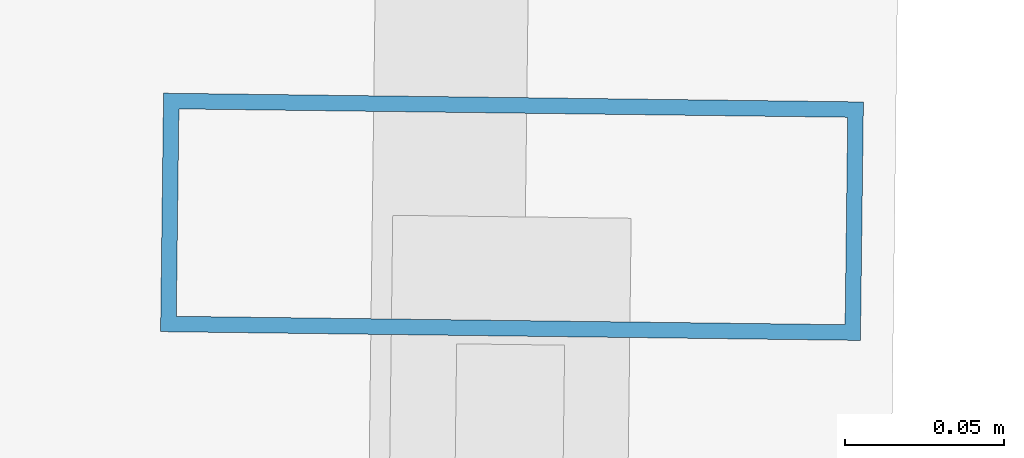
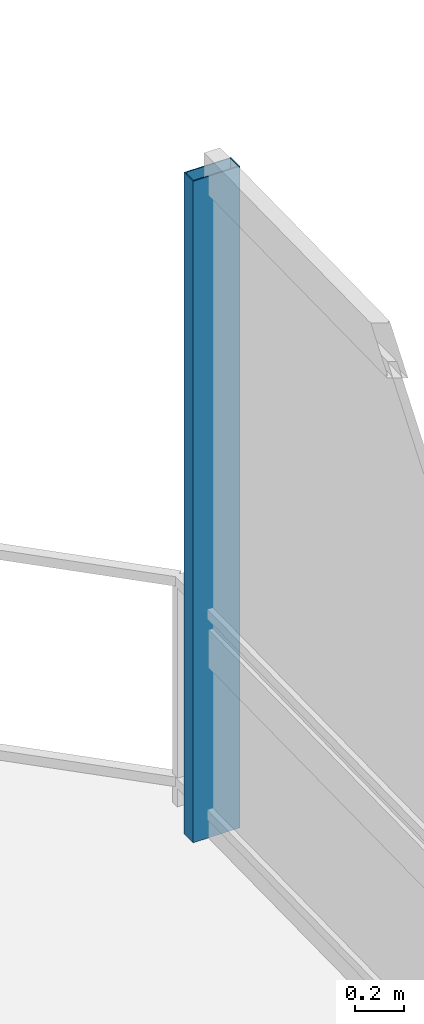
# One storey, part 12 of 18: 1 member, 1 element without a shape of its own.
"""IFC4 building model written with IfcOpenShell, lengths in metres."""

from ifc_helpers import new_model, si_unit, direction, frame, origin, origin_2d, place, context, subcontext, project, spatial, hollow_rectangle, extrude, material, layer, layer_set, material_profile, profile_set, type_object, element, aggregate, save


model = new_model("IFC4")

# Units and contexts
model_context = context("Model", 3, precision=1e-05, world=origin(), true_north=direction((0.0, 1.0)))
body_context = subcontext(model_context, "Body", "Model", "MODEL_VIEW")
ifc_project = project(units=[si_unit("LENGTHUNIT", "METRE"), si_unit("AREAUNIT", "SQUARE_METRE"), si_unit("VOLUMEUNIT", "CUBIC_METRE"), si_unit("PLANEANGLEUNIT", "RADIAN"), si_unit("MASSUNIT", "GRAM", prefix="KILO")], contexts=[model_context])

# Site, building, storey
site_placement = place(None, origin())
site = spatial("IfcSite", under=ifc_project, at=site_placement, CompositionType="ELEMENT")
building_placement = place(site_placement, origin())
building = spatial("IfcBuilding", under=site, at=building_placement, Name="Qarnah Convention Tower", CompositionType="ELEMENT")
storey_placement = place(building_placement, frame((0.0, 0.0, 177.0)))
storey = spatial("IfcBuildingStorey", under=building, at=storey_placement, Name="L47", CompositionType="ELEMENT", Elevation=177.0)

# Curtain wall, member
ifc_material_1 = material(Name="Tempered Low-E dark glass", Category="glass")
ifc_layer = layer(ifc_material_1, 0.174072265625)
ifc_layer_set = layer_set([ifc_layer], Name="Tempered Low-E dark glass")
curtain_wall_type = type_object("IfcCurtainWallType", Name="CWS-04", PredefinedType="NOTDEFINED", material=ifc_layer_set)
curtain_wall_placement = place(storey_placement, origin())
curtain_wall = element("IfcCurtainWall", 1, at=curtain_wall_placement, inside=storey, type_object=curtain_wall_type, Name="L47 unitised curtain wall CW-L47-F3", PredefinedType="NOTDEFINED")
ifc_material_2 = material(Name="Black anodised aluminium", Category="aluminium")
ifc_material_profile = material_profile(ifc_material_2, hollow_rectangle(XDim=0.074951171875, YDim=0.219970703125, WallThickness=0.0048828125, at=origin_2d()), Name="MUL-75X220")
ifc_profile_set = profile_set([ifc_material_profile], Name="Black anodised aluminium")
member_type = type_object("IfcMemberType", Name="MUL-T4", PredefinedType="MULLION", material=ifc_profile_set)
member_placement = place(storey_placement, frame((54.096923828125, 41.291015625, 0.0), z_axis=(0.0, 0.0, 1.0), x_axis=(-0.012512619555, -0.999921714112, 0.0)))
member = element("IfcMember", 2, at=member_placement, type_object=member_type, Name="CW-L47-F3 mullion 1", PredefinedType="MULLION", context=body_context, shape_type="SweptSolid", body=[
    extrude(hollow_rectangle(XDim=0.074951171875, YDim=0.219970703125, WallThickness=0.0048828125, at=origin_2d()), origin(), (0.0, 0.0, 1.0), 3.320068359375),
])
aggregate(curtain_wall, [member])

save(model, "model.ifc")
